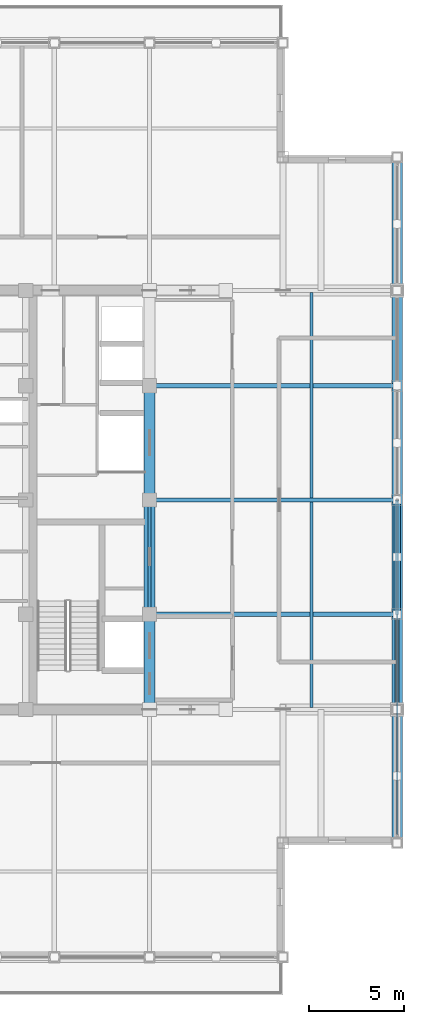
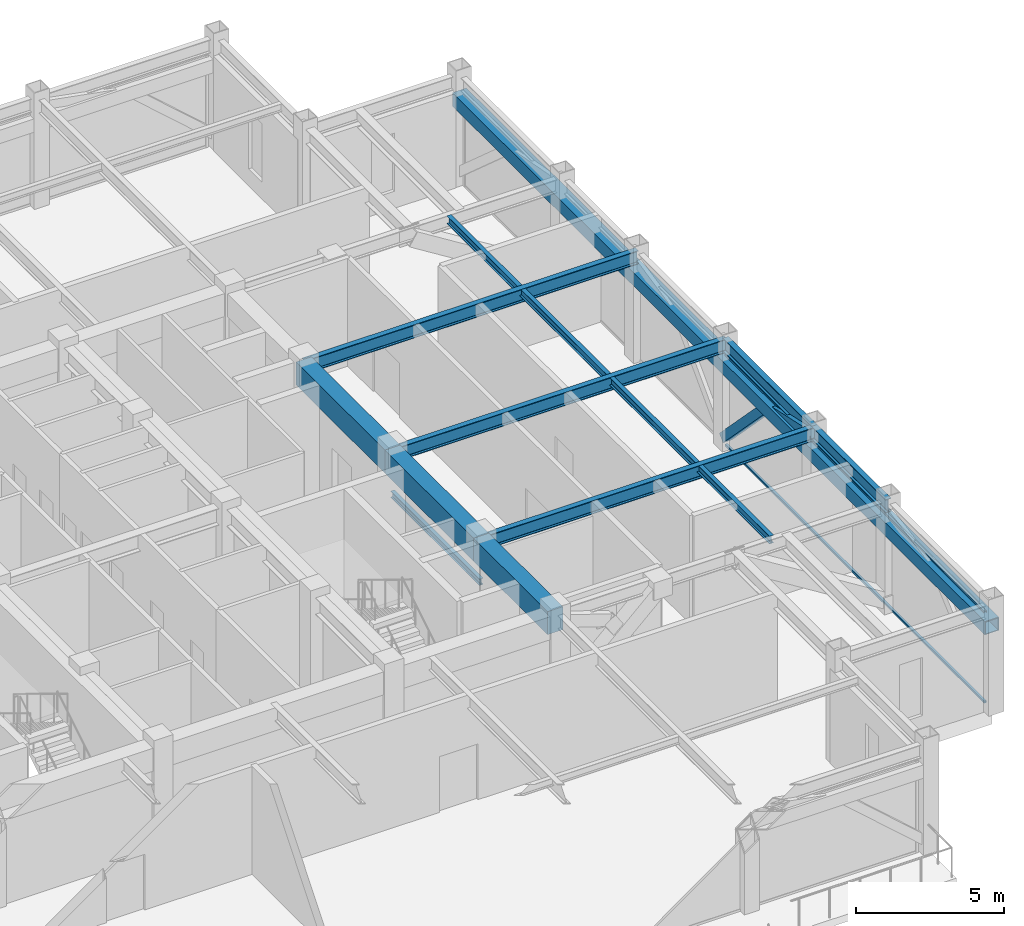
# One storey, part 11 of 32: 11 beams, 5 members, 1 element without a shape of its own.
"""IFC4 building model written with IfcOpenShell, lengths in metres."""

from ifc_helpers import new_model, si_unit, direction, frame, origin, origin_2d, place, context, subcontext, project, spatial, rectangle, hollow_rectangle, i_section, extrude, source, transform, mapped, material, material_profile, profile_set, type_object, element, aggregate, save


model = new_model("IFC4")

# Units and contexts
model_context = context("Model", 3, precision=1e-05, world=origin(), true_north=direction((0.0, 1.0)))
body_context = subcontext(model_context, "Body", "Model", "MODEL_VIEW")
ifc_project = project(units=[si_unit("LENGTHUNIT", "METRE"), si_unit("AREAUNIT", "SQUARE_METRE"), si_unit("VOLUMEUNIT", "CUBIC_METRE"), si_unit("PLANEANGLEUNIT", "RADIAN"), si_unit("MASSUNIT", "GRAM", prefix="KILO")], contexts=[model_context])

# Site, building, storey
site_placement = place(None, origin())
site = spatial("IfcSite", under=ifc_project, at=site_placement, CompositionType="ELEMENT")
building_placement = place(site_placement, origin())
building = spatial("IfcBuilding", under=site, at=building_placement, Name="Khorayat Bourse Tower", CompositionType="ELEMENT")
storey_placement = place(building_placement, frame((0.0, 0.0, 375.5)))
storey = spatial("IfcBuildingStorey", under=building, at=storey_placement, Name="L89", CompositionType="ELEMENT", Elevation=375.5)

# Beams
ifc_material_1 = material(Name="Steel ASTM A992 Grade 50", Category="steel")
ifc_material_profile_1 = material_profile(ifc_material_1, i_section(OverallWidth=0.14697265625, OverallDepth=0.261962890625, WebThickness=0.006591796875, FlangeThickness=0.01123046875, FilletRadius=0.008056640625, at=origin_2d()), Name="W250X39")
ifc_profile_set_1 = profile_set([ifc_material_profile_1], Name="Steel ASTM A992 Grade 50")
beam_type_1 = type_object("IfcBeamType", Name="BM-LINTEL-250", PredefinedType="LINTEL", material=ifc_profile_set_1)
shared_shape_1 = source(origin(), body_context, "Body", "SweptSolid", [
    extrude(i_section(OverallWidth=0.14697265625, OverallDepth=0.261962890625, WebThickness=0.006591796875, FlangeThickness=0.01123046875, FilletRadius=0.008056640625, at=origin_2d()), origin(), (0.0, 0.0, 1.0), 6.0),
])
beam_1_placement = place(storey_placement, frame((11.0, -6.0, 2.550048828125), z_axis=(0.0, 1.0, 0.0), x_axis=(-1.0, 0.0, 0.0)))
element("IfcBeam", 1, at=beam_1_placement, inside=storey, type_object=beam_type_1, Name="L89 Core Opening Lintel 02", PredefinedType="LINTEL", context=body_context, shape_type="MappedRepresentation", body=[
    mapped(shared_shape_1, transform((0.0, 0.0, 0.0), scale=1.0)),
])
ifc_material_2 = material(Name="Concrete C60/75", Category="concrete")
ifc_material_profile_2 = material_profile(ifc_material_2, rectangle(XDim=0.60009765625, YDim=0.949951171875, at=origin_2d()), Name="RC 600x950")
ifc_profile_set_2 = profile_set([ifc_material_profile_2], Name="Concrete C60/75")
beam_type_2 = type_object("IfcBeamType", Name="BM-COUP-950", PredefinedType="BEAM", material=ifc_profile_set_2)
shared_shape_2 = source(origin(), body_context, "Body", "SweptSolid", [
    extrude(rectangle(XDim=0.60009765625, YDim=0.949951171875, at=origin_2d()), origin(), (0.0, 0.0, 1.0), 5.0),
])
beam_2_placement = place(storey_placement, frame((11.0, -11.0, 3.97509765625), z_axis=(0.0, 1.0, 0.0), x_axis=(-1.0, 0.0, 0.0)))
element("IfcBeam", 2, at=beam_2_placement, inside=storey, type_object=beam_type_2, Name="L89 BM-COUP-950 BM-L89-CRX-13", PredefinedType="BEAM", context=body_context, shape_type="MappedRepresentation", body=[
    mapped(shared_shape_2, transform((0.0, 0.0, 0.0), scale=1.0)),
])
shared_shape_3 = source(origin(), body_context, "Body", "SweptSolid", [
    extrude(rectangle(XDim=0.60009765625, YDim=0.949951171875, at=origin_2d()), origin(), (0.0, 0.0, 1.0), 6.0),
])
for number, where, z_axis, x_axis, name in (
    (3, (11.0, -6.0, 3.97509765625), (0.0, 1.0, 0.0), (-1.0, 0.0, 0.0), "L89 BM-COUP-950 BM-L89-CRX-14"),
    (4, (11.0, 0.0, 3.97509765625), (0.0, 1.0, 0.0), (-1.0, 0.0, 0.0), "L89 BM-COUP-950 BM-L89-CRX-15"),
):
    element("IfcBeam", number, at=place(storey_placement, frame(where, z_axis=z_axis, x_axis=x_axis)), inside=storey, type_object=beam_type_2, Name=name, PredefinedType="BEAM", context=body_context, shape_type="MappedRepresentation", body=[
        mapped(shared_shape_3, transform((0.0, 0.0, 0.0), scale=1.0)),
    ])
ifc_material_profile_3 = material_profile(ifc_material_1, i_section(OverallWidth=0.214111328125, OverallDepth=0.549072265625, WebThickness=0.0146484375, FlangeThickness=0.023681640625, FilletRadius=0.013916015625, at=origin_2d()), Name="W530X138")
ifc_profile_set_3 = profile_set([ifc_material_profile_3], Name="Steel ASTM A992 Grade 50")
beam_type_3 = type_object("IfcBeamType", Name="BM-SPAN-530", PredefinedType="SPANDREL", material=ifc_profile_set_3)
shared_shape_4 = source(origin(), body_context, "Body", "SweptSolid", [
    extrude(i_section(OverallWidth=0.214111328125, OverallDepth=0.549072265625, WebThickness=0.0146484375, FlangeThickness=0.023681640625, FilletRadius=0.013916015625, at=origin_2d()), origin(), (0.0, 0.0, 1.0), 5.0),
])
beam_3_placement = place(storey_placement, frame((24.0, -11.0, 4.175537109375), z_axis=(0.0, 1.0, 0.0), x_axis=(-1.0, 0.0, 0.0)))
element("IfcBeam", 5, at=beam_3_placement, inside=storey, type_object=beam_type_3, Name="L89 BM-SPAN-530 BM-L89-SPN-033", PredefinedType="SPANDREL", context=body_context, shape_type="MappedRepresentation", body=[
    mapped(shared_shape_4, transform((0.0, 0.0, 0.0), scale=1.0)),
])
shared_shape_5 = source(origin(), body_context, "Body", "SweptSolid", [
    extrude(i_section(OverallWidth=0.214111328125, OverallDepth=0.549072265625, WebThickness=0.0146484375, FlangeThickness=0.023681640625, FilletRadius=0.013916015625, at=origin_2d()), origin(), (0.0, 0.0, 1.0), 6.0),
])
beam_4_placement = place(storey_placement, frame((24.0, -6.0, 4.175537109375), z_axis=(0.0, 1.0, 0.0), x_axis=(-1.0, 0.0, 0.0)))
element("IfcBeam", 6, at=beam_4_placement, inside=storey, type_object=beam_type_3, Name="L89 BM-SPAN-530 BM-L89-SPN-034", PredefinedType="SPANDREL", context=body_context, shape_type="MappedRepresentation", body=[
    mapped(shared_shape_5, transform((0.0, 0.0, 0.0), scale=1.0)),
])
ifc_material_profile_4 = material_profile(ifc_material_1, i_section(OverallWidth=0.214111328125, OverallDepth=0.549072265625, WebThickness=0.0146484375, FlangeThickness=0.023681640625, FilletRadius=0.013916015625, at=origin_2d()), Name="W530X138")
ifc_profile_set_4 = profile_set([ifc_material_profile_4], Name="Steel ASTM A992 Grade 50")
beam_type_4 = type_object("IfcBeamType", Name="BM-GIRD-530", PredefinedType="BEAM", material=ifc_profile_set_4)
shared_shape_6 = source(origin(), body_context, "Body", "SweptSolid", [
    extrude(i_section(OverallWidth=0.214111328125, OverallDepth=0.549072265625, WebThickness=0.0146484375, FlangeThickness=0.023681640625, FilletRadius=0.013916015625, at=origin_2d()), origin(), (0.0, 0.0, 1.0), 13.0),
])
for number, where, z_axis, x_axis, name in (
    (7, (11.0, -6.0, 4.175537109375), (1.0, 0.0, 0.0), (0.0, 1.0, 0.0), "L89 BM-GIRD-530 BM-L89-RADX-068"),
    (8, (11.0, 0.0, 4.175537109375), (1.0, 0.0, 0.0), (0.0, 1.0, 0.0), "L89 BM-GIRD-530 BM-L89-RADX-070"),
    (9, (11.0, 6.0, 4.175537109375), (1.0, 0.0, 0.0), (0.0, 1.0, 0.0), "L89 BM-GIRD-530 BM-L89-RADX-072"),
):
    element("IfcBeam", number, at=place(storey_placement, frame(where, z_axis=z_axis, x_axis=x_axis)), inside=storey, type_object=beam_type_4, Name=name, PredefinedType="BEAM", context=body_context, shape_type="MappedRepresentation", body=[
        mapped(shared_shape_6, transform((0.0, 0.0, 0.0), scale=1.0)),
    ])
ifc_material_profile_5 = material_profile(ifc_material_1, i_section(OverallWidth=0.1669921875, OverallDepth=0.31689453125, WebThickness=0.007568359375, FlangeThickness=0.01318359375, FilletRadius=0.010009765625, at=origin_2d()), Name="W310X52")
ifc_profile_set_5 = profile_set([ifc_material_profile_5], Name="Steel ASTM A992 Grade 50")
beam_type_5 = type_object("IfcBeamType", Name="BM-JOIST-310", PredefinedType="JOIST", material=ifc_profile_set_5)
shared_shape_7 = source(origin(), body_context, "Body", "SweptSolid", [
    extrude(i_section(OverallWidth=0.1669921875, OverallDepth=0.31689453125, WebThickness=0.007568359375, FlangeThickness=0.01318359375, FilletRadius=0.010009765625, at=origin_2d()), origin(), (0.0, 0.0, 1.0), 10.81005859375),
])
for number, where, z_axis, x_axis, name in (
    (10, (19.5, -10.905029296875, 4.29150390625), (0.0, 1.0, 0.0), (-1.0, 0.0, 0.0), "L89 BM-JOIST-310 BM-L89-JSTY-092"),
    (11, (19.5, 0.094970703125, 4.29150390625), (0.0, 1.0, 0.0), (-1.0, 0.0, 0.0), "L89 BM-JOIST-310 BM-L89-JSTY-093"),
):
    element("IfcBeam", number, at=place(storey_placement, frame(where, z_axis=z_axis, x_axis=x_axis)), inside=storey, type_object=beam_type_5, Name=name, PredefinedType="JOIST", context=body_context, shape_type="MappedRepresentation", body=[
        mapped(shared_shape_7, transform((0.0, 0.0, 0.0), scale=1.0)),
    ])

# Members
ifc_material_3 = material(Name="Steel EN 10025-4 S460M", Category="steel")
ifc_material_profile_6 = material_profile(ifc_material_3, hollow_rectangle(XDim=0.550048828125, YDim=0.550048828125, WallThickness=0.031982421875, at=origin_2d()), Name="HSS 550x550x32")
ifc_profile_set_6 = profile_set([ifc_material_profile_6], Name="Steel EN 10025-4 S460M")
member_type_1 = type_object("IfcMemberType", Name="MBR-BELT-550", PredefinedType="CHORD", material=ifc_profile_set_6)
shared_shape_8 = source(origin(), body_context, "Body", "SweptSolid", [
    extrude(hollow_rectangle(XDim=0.550048828125, YDim=0.550048828125, WallThickness=0.031982421875, at=origin_2d()), origin(), (0.0, 0.0, 1.0), 36.0),
])
member_1_placement = place(storey_placement, frame((24.0, -18.0, 3.449951171875), z_axis=(0.0, 1.0, 0.0), x_axis=(-1.0, 0.0, 0.0)))
element("IfcMember", 12, at=member_1_placement, inside=storey, type_object=member_type_1, Name="L89 Belt Truss Mid Chord 04", PredefinedType="CHORD", context=body_context, shape_type="MappedRepresentation", body=[
    mapped(shared_shape_8, transform((0.0, 0.0, 0.0), scale=1.0)),
])
ifc_material_4 = material(Name="Steel EN 10025-2 S355J2", Category="steel")
ifc_material_profile_7 = material_profile(ifc_material_4, hollow_rectangle(XDim=0.35009765625, YDim=0.35009765625, WallThickness=0.02001953125, at=origin_2d()), Name="HSS 350x350x20")
ifc_profile_set_7 = profile_set([ifc_material_profile_7], Name="Steel EN 10025-2 S355J2")
member_type_2 = type_object("IfcMemberType", Name="MBR-CROWN-350", PredefinedType="USERDEFINED", material=ifc_profile_set_7)
shared_shape_9 = source(origin(), body_context, "Body", "SweptSolid", [
    extrude(hollow_rectangle(XDim=0.35009765625, YDim=0.35009765625, WallThickness=0.02001953125, at=origin_2d()), origin(), (0.0, 0.0, 1.0), 3.069580078125),
])
member_2_placement = place(storey_placement, frame((24.0, -6.0, 4.10009765625), z_axis=(0.0, 0.977313263163, -0.211798927393), x_axis=(-1.0, 0.0, 0.0)))
element("IfcMember", 13, at=member_2_placement, inside=storey, type_object=member_type_2, Name="L89 Lantern Crown Frame Member 23", ObjectType="CROWN FRAME", PredefinedType="USERDEFINED", context=body_context, shape_type="MappedRepresentation", body=[
    mapped(shared_shape_9, transform((0.0, 0.0, 0.0), scale=1.0)),
])
shared_shape_10 = source(origin(), body_context, "Body", "SweptSolid", [
    extrude(hollow_rectangle(XDim=0.35009765625, YDim=0.35009765625, WallThickness=0.02001953125, at=origin_2d()), origin(), (0.0, 0.0, 1.0), 4.313720703125),
])
member_3_placement = place(storey_placement, frame((24.0, -3.0, 3.449951171875), z_axis=(0.0, 0.695438396675, -0.718585719612), x_axis=(-1.0, 0.0, 0.0)))
element("IfcMember", 14, at=member_3_placement, inside=storey, type_object=member_type_2, Name="L89 Lantern Crown Frame Member 24", ObjectType="CROWN FRAME", PredefinedType="USERDEFINED", context=body_context, shape_type="MappedRepresentation", body=[
    mapped(shared_shape_10, transform((0.0, 0.0, 0.0), scale=1.0)),
])

# Curtain wall, members
ifc_material_5 = material(Name="Aluminium EN AW-6063 T6", Category="aluminium")
curtain_wall_type = type_object("IfcCurtainWallType", Name="CW-SYS-07", PredefinedType="NOTDEFINED", material=ifc_material_5)
curtain_wall_placement = place(storey_placement, origin())
curtain_wall = element("IfcCurtainWall", 15, at=curtain_wall_placement, inside=storey, type_object=curtain_wall_type, Name="L89 Curtain Wall CW-L89-E1", PredefinedType="NOTDEFINED")
ifc_material_profile_8 = material_profile(ifc_material_5, hollow_rectangle(XDim=0.090087890625, YDim=0.090087890625, WallThickness=0.00390625, at=origin_2d()), Name="ALU 90x90x4")
ifc_profile_set_8 = profile_set([ifc_material_profile_8], Name="Aluminium EN AW-6063 T6")
member_type_3 = type_object("IfcMemberType", Name="CWT-HORZ-90", PredefinedType="USERDEFINED", material=ifc_profile_set_8)
shared_shape_11 = source(origin(), body_context, "Body", "SweptSolid", [
    extrude(hollow_rectangle(XDim=0.090087890625, YDim=0.090087890625, WallThickness=0.00390625, at=origin_2d()), origin(), (0.0, 0.0, 1.0), 17.5),
])
member_4_placement = place(storey_placement, frame((24.0, -17.550048828125, 0.044921875), z_axis=(0.0, 1.0, 0.0), x_axis=(-1.0, 0.0, 0.0)))
member_4 = element("IfcMember", 16, at=member_4_placement, type_object=member_type_3, Name="CW-L89-E1 Horizontal Transom 1-1", ObjectType="TRANSOM", PredefinedType="USERDEFINED", context=body_context, shape_type="MappedRepresentation", body=[
    mapped(shared_shape_11, transform((0.0, 0.0, 0.0), scale=1.0)),
])
member_5_placement = place(storey_placement, frame((24.0, -17.550048828125, 3.7548828125), z_axis=(0.0, 1.0, 0.0), x_axis=(-1.0, 0.0, 0.0)))
member_5 = element("IfcMember", 17, at=member_5_placement, type_object=member_type_3, Name="CW-L89-E1 Horizontal Transom 1-2", ObjectType="TRANSOM", PredefinedType="USERDEFINED", context=body_context, shape_type="MappedRepresentation", body=[
    mapped(shared_shape_11, transform((0.0, 0.0, 0.0), scale=1.0)),
])
aggregate(curtain_wall, [member_4, member_5])

save(model, "model.ifc")
